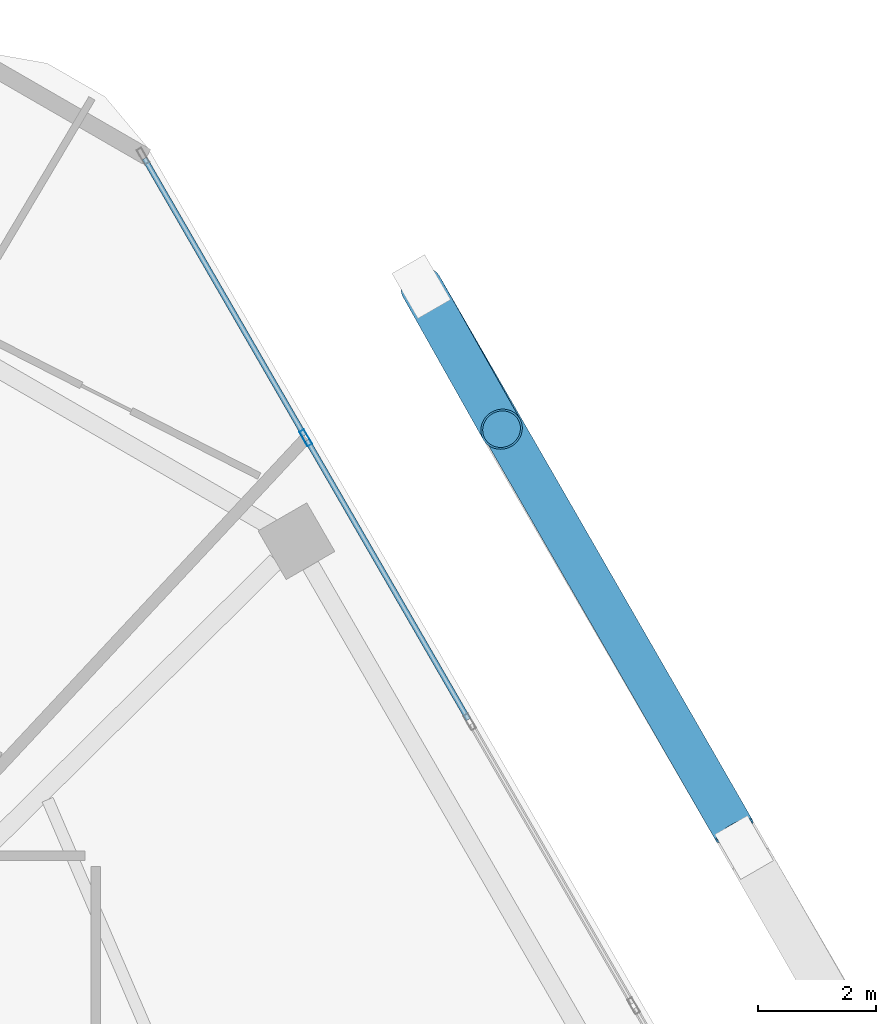
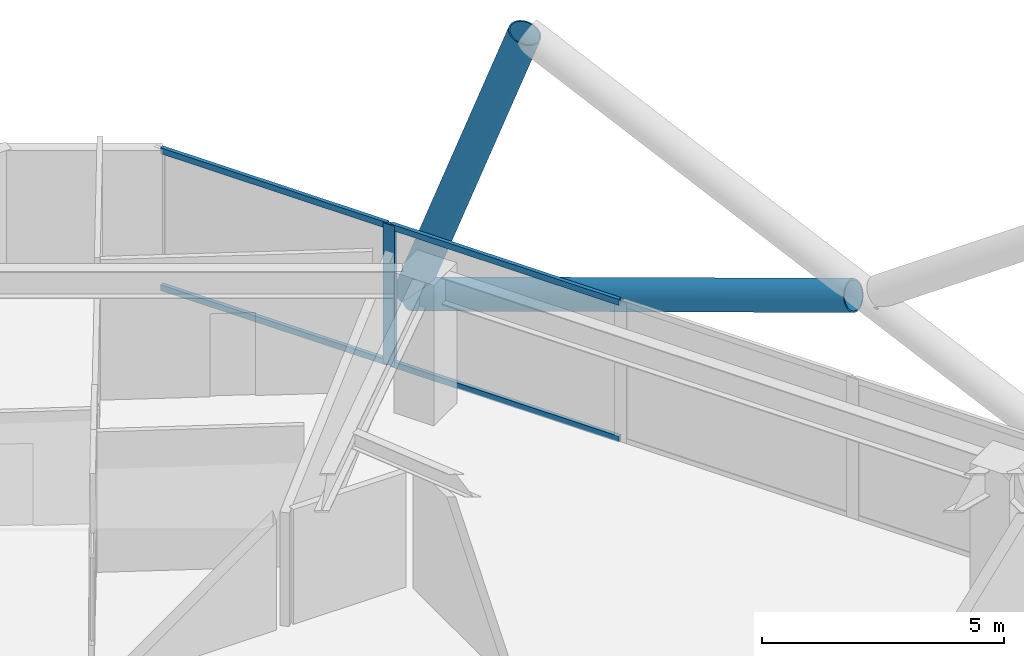
# One storey, part 19 of 28: 7 members, 1 element without a shape of its own.
"""IFC4 building model written with IfcOpenShell, lengths in metres."""

from ifc_helpers import new_model, si_unit, direction, frame, origin, origin_2d, place, context, subcontext, project, spatial, hollow_rectangle, hollow_circle, extrude, material, material_profile, profile_set, type_object, element, aggregate, save


model = new_model("IFC4")

# Units and contexts
model_context = context("Model", 3, precision=1e-05, world=origin(), true_north=direction((0.0, 1.0)))
body_context = subcontext(model_context, "Body", "Model", "MODEL_VIEW")
ifc_project = project(units=[si_unit("LENGTHUNIT", "METRE"), si_unit("AREAUNIT", "SQUARE_METRE"), si_unit("VOLUMEUNIT", "CUBIC_METRE"), si_unit("PLANEANGLEUNIT", "RADIAN"), si_unit("MASSUNIT", "GRAM", prefix="KILO")], contexts=[model_context])

# Site, building, storey
site_placement = place(None, origin())
site = spatial("IfcSite", under=ifc_project, at=site_placement, CompositionType="ELEMENT")
building_placement = place(site_placement, origin())
building = spatial("IfcBuilding", under=site, at=building_placement, Name="Zuhravey Tower", CompositionType="ELEMENT")
storey_placement = place(building_placement, frame((0.0, 0.0, 207.39990234375)))
storey = spatial("IfcBuildingStorey", under=building, at=storey_placement, Name="L52", CompositionType="ELEMENT", Elevation=207.39990234375)

# Curtain wall, members
ifc_material_1 = material(Name="Thermally broken anodised aluminium", Category="aluminium")
curtain_wall_type = type_object("IfcCurtainWallType", Name="Zone 1-2 Residential Curtain Wall CW3", PredefinedType="NOTDEFINED", material=ifc_material_1)
curtain_wall_placement = place(storey_placement, origin())
curtain_wall = element("IfcCurtainWall", 1, at=curtain_wall_placement, inside=storey, type_object=curtain_wall_type, Name="L52 CW3 CW-L52-F1-1", PredefinedType="NOTDEFINED")
ifc_material_2 = material(Name="Anodised aluminium", Category="aluminium")
ifc_material_profile_1 = material_profile(ifc_material_2, hollow_rectangle(XDim=0.090087890625, YDim=0.284912109375, WallThickness=0.0048828125, at=origin_2d()), Name="ALU-RHS-90x285x5")
ifc_profile_set_1 = profile_set([ifc_material_profile_1], Name="Anodised aluminium")
member_type_1 = type_object("IfcMemberType", Name="Curtain-Wall Mullion 90x180", PredefinedType="MULLION", material=ifc_profile_set_1)
member_1_placement = place(storey_placement, frame((55.3828125, 52.7939453125, 0.0), z_axis=(0.0, 0.0, 1.0), x_axis=(0.866025138215, 0.500000459979, 0.0)))
member_1 = element("IfcMember", 2, at=member_1_placement, type_object=member_type_1, Name="CW3 mullion 2", PredefinedType="MULLION", context=body_context, shape_type="SweptSolid", body=[
    extrude(hollow_rectangle(XDim=0.090087890625, YDim=0.284912109375, WallThickness=0.0048828125, at=origin_2d()), origin(), (0.0, 0.0, 1.0), 3.550048828125),
])
ifc_material_profile_2 = material_profile(ifc_material_2, hollow_rectangle(XDim=0.090087890625, YDim=0.14990234375, WallThickness=0.0048828125, at=origin_2d()), Name="ALU-RHS-90x150x5")
ifc_profile_set_2 = profile_set([ifc_material_profile_2], Name="Anodised aluminium")
member_type_2 = type_object("IfcMemberType", Name="Curtain-Wall Transom 90x150", PredefinedType="USERDEFINED", material=ifc_profile_set_2)
member_2_placement = place(storey_placement, frame((52.65576171875, 57.517578125, 0.045166015625), z_axis=(0.499993332629, -0.866029253159, 0.0), x_axis=(0.866029253159, 0.499993332629, 0.0)))
member_2 = element("IfcMember", 3, at=member_2_placement, type_object=member_type_2, Name="CW3 transom 1.1", ObjectType="TRANSOM", PredefinedType="USERDEFINED", context=body_context, shape_type="SweptSolid", body=[
    extrude(hollow_rectangle(XDim=0.090087890625, YDim=0.14990234375, WallThickness=0.0048828125, at=origin_2d()), origin(), (0.0, 0.0, 1.0), 5.4091796875),
])
member_3_placement = place(storey_placement, frame((52.65576171875, 57.517578125, 3.505126953125), z_axis=(0.499993332629, -0.866029253159, 0.0), x_axis=(0.866029253159, 0.499993332629, 0.0)))
member_3 = element("IfcMember", 4, at=member_3_placement, type_object=member_type_2, Name="CW3 transom 1.2", ObjectType="TRANSOM", PredefinedType="USERDEFINED", context=body_context, shape_type="SweptSolid", body=[
    extrude(hollow_rectangle(XDim=0.090087890625, YDim=0.14990234375, WallThickness=0.0048828125, at=origin_2d()), origin(), (0.0, 0.0, 1.0), 5.4091796875),
])
member_4_placement = place(storey_placement, frame((55.405517578125, 52.755126953125, 0.045166015625), z_axis=(0.49996138257, -0.86604769842, 0.0), x_axis=(0.86604769842, 0.49996138257, 0.0)))
member_4 = element("IfcMember", 5, at=member_4_placement, type_object=member_type_2, Name="CW3 transom 2.1", ObjectType="TRANSOM", PredefinedType="USERDEFINED", context=body_context, shape_type="SweptSolid", body=[
    extrude(hollow_rectangle(XDim=0.090087890625, YDim=0.14990234375, WallThickness=0.0048828125, at=origin_2d()), origin(), (0.0, 0.0, 1.0), 5.45458984375),
])
member_5_placement = place(storey_placement, frame((55.405517578125, 52.755126953125, 3.505126953125), z_axis=(0.49996138257, -0.86604769842, 0.0), x_axis=(0.86604769842, 0.49996138257, 0.0)))
member_5 = element("IfcMember", 6, at=member_5_placement, type_object=member_type_2, Name="CW3 transom 2.2", ObjectType="TRANSOM", PredefinedType="USERDEFINED", context=body_context, shape_type="SweptSolid", body=[
    extrude(hollow_rectangle(XDim=0.090087890625, YDim=0.14990234375, WallThickness=0.0048828125, at=origin_2d()), origin(), (0.0, 0.0, 1.0), 5.45458984375),
])
aggregate(curtain_wall, [member_1, member_2, member_3, member_4, member_5])

# Members
ifc_material_3 = material(Name="Steel SM460", Category="steel")
ifc_material_profile_3 = material_profile(ifc_material_3, hollow_circle(Radius=0.355712890625, WallThickness=0.031982421875, at=origin_2d()), Name="CHS-711.2x32")
ifc_profile_set_3 = profile_set([ifc_material_profile_3], Name="Steel SM460")
member_type_3 = type_object("IfcMemberType", Name="Exoskeleton Zone 2 Diagrid CHS711x32", PredefinedType="BRACE", material=ifc_profile_set_3)
member_6_placement = place(storey_placement, frame((57.339599609375, 55.344970703125, -0.44384765625), z_axis=(0.16821244009, -0.298778056347, 0.939380779048), x_axis=(0.871388810392, 0.490593050424, 0.0)))
element("IfcMember", 7, at=member_6_placement, inside=storey, type_object=member_type_3, Name="L52 Face 1 Diagrid Brace 4", PredefinedType="BRACE", context=body_context, shape_type="SweptSolid", body=[
    extrude(hollow_circle(Radius=0.355712890625, WallThickness=0.031982421875, at=origin_2d()), origin(), (0.0, 0.0, 1.0), 8.0478515625),
])
member_7_placement = place(storey_placement, frame((57.358154296875, 55.3125, -0.4482421875), z_axis=(0.471213817149, -0.818744370598, 0.3280475486), x_axis=(0.866706878628, 0.498817788915, 0.0)))
element("IfcMember", 8, at=member_7_placement, inside=storey, type_object=member_type_3, Name="L52 Face 1 Split Diagrid Brace 3A", PredefinedType="BRACE", context=body_context, shape_type="SweptSolid", body=[
    extrude(hollow_circle(Radius=0.355712890625, WallThickness=0.031982421875, at=origin_2d()), origin(), (0.0, 0.0, 1.0), 11.190185546875),
])

save(model, "model.ifc")
